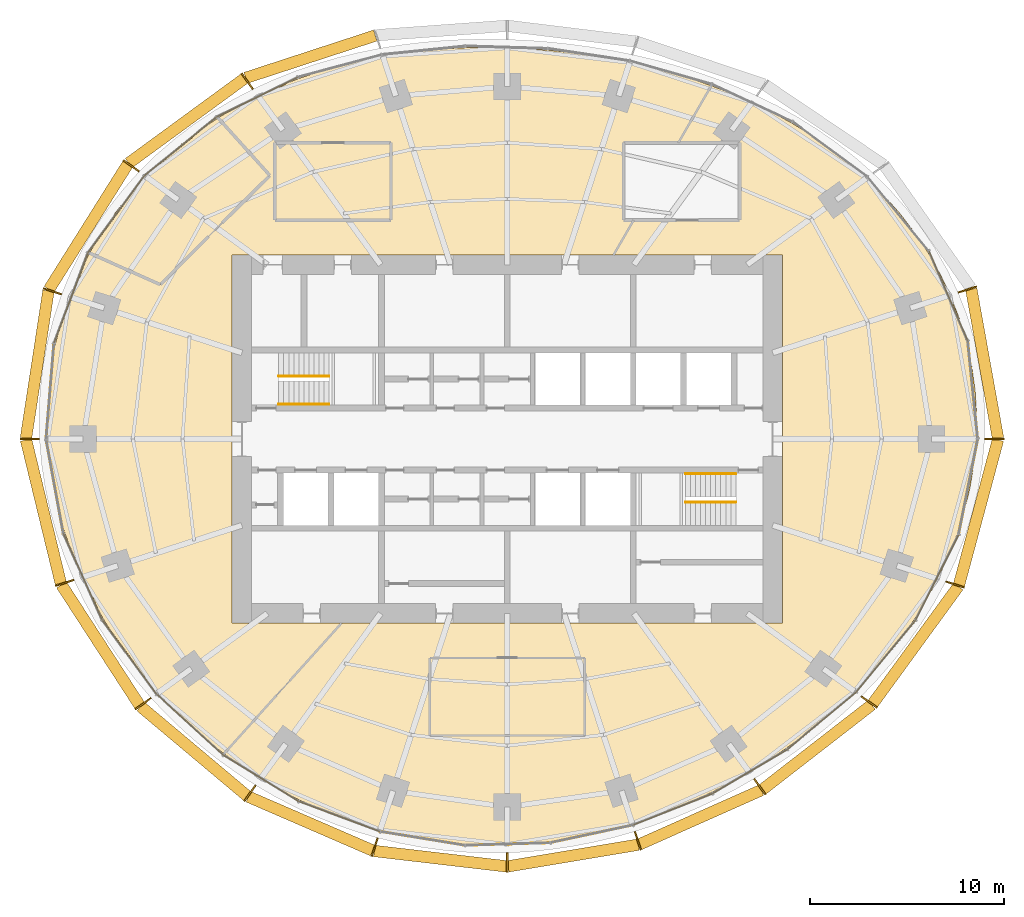
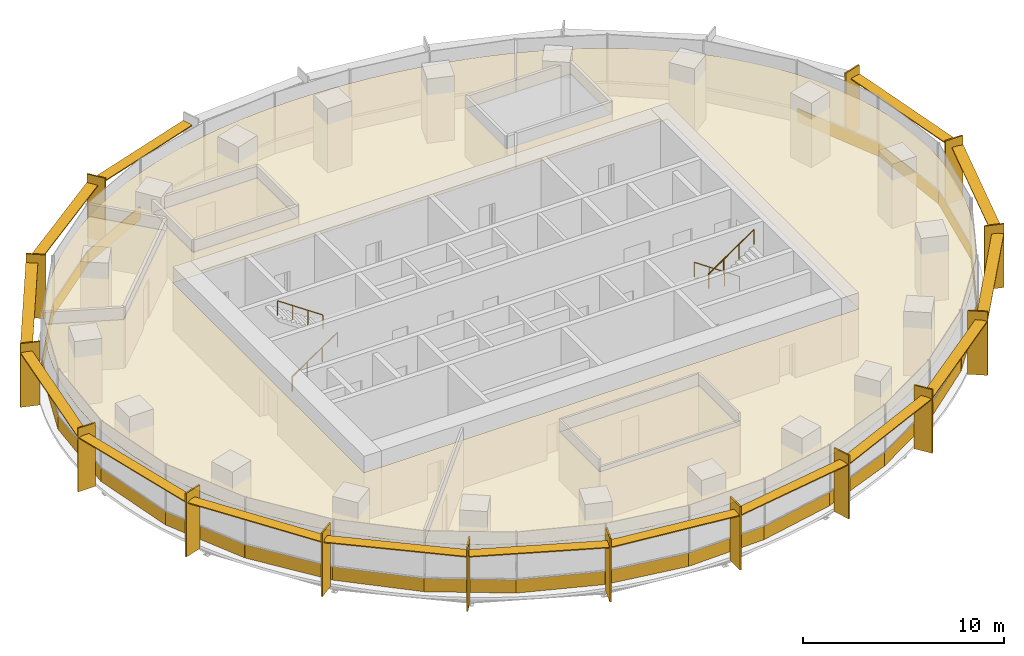
# One storey, part 13 of 14: 30 shading devices, 27 coverings, 4 railings.
"""IFC4 building model written with IfcOpenShell, lengths in metres."""

from ifc_helpers import new_model, si_unit, direction, frame, origin, origin_2d, place, context, subcontext, project, spatial, polyline, rectangle, circle, outline, extrude, material, layer, layer_set, type_object, element, save


model = new_model("IFC4")

# Units and contexts
model_context = context("Model", 3, precision=1e-05, world=origin(), true_north=direction((0.0, 1.0)))
body_context = subcontext(model_context, "Body", "Model", "MODEL_VIEW")
ifc_project = project(units=[si_unit("LENGTHUNIT", "METRE"), si_unit("AREAUNIT", "SQUARE_METRE"), si_unit("VOLUMEUNIT", "CUBIC_METRE"), si_unit("PLANEANGLEUNIT", "RADIAN"), si_unit("MASSUNIT", "GRAM", prefix="KILO")], contexts=[model_context])

# Site, building, storey
site_placement = place(None, origin())
site = spatial("IfcSite", under=ifc_project, at=site_placement, CompositionType="ELEMENT")
building_placement = place(site_placement, origin())
building = spatial("IfcBuilding", under=site, at=building_placement, Name="Marramba Exchange Tower", CompositionType="ELEMENT")
storey_placement = place(building_placement, frame((0.0, 0.0, 242.300048828125)))
storey = spatial("IfcBuildingStorey", under=building, at=storey_placement, Name="L59", CompositionType="ELEMENT", Elevation=242.300048828125)

# Shading devices
ifc_material_1 = material(Name="Aluminium blade, timber-look bronze finish", Category="wood")
ifc_layer_1 = layer(ifc_material_1, 0.080078125)
ifc_layer_set_1 = layer_set([ifc_layer_1], Name="Floor-edge blade 1000x80")
shading_device_type_1 = type_object("IfcShadingDeviceType", Name="Floor-edge blade 1000x80", PredefinedType="USERDEFINED", material=ifc_layer_set_1)
for number, where, z_axis, x_axis, name in (
    (1, (25.14404296875, 0.0, -0.16015625), (0.0, 0.0, 1.0), (1.0, 0.0, 0.0), "Floor-edge blade FB1 L59 TC01"),
    (2, (23.757080078125, 7.718994140625, -0.16015625), (0.0, 0.0, 1.0), (0.951056516295, 0.309016994375, 0.0), "Floor-edge blade FB1 L59 TC02"),
    (3, (-13.422607421875, 18.474609375, -0.16015625), (0.0, 0.0, 1.0), (-0.587785252292, 0.809016994375, 0.0), "Floor-edge blade FB1 L59 TC08"),
    (4, (-19.4140625, 14.105224609375, -0.16015625), (0.0, 0.0, 1.0), (-0.809016994375, 0.587785252292, 0.0), "Floor-edge blade FB1 L59 TC09"),
    (5, (-23.488525390625, 7.6318359375, -0.16015625), (0.0, 0.0, 1.0), (-0.951056516295, 0.309016994375, 0.0), "Floor-edge blade FB1 L59 TC10"),
    (6, (-24.656005859375, 0.0, -0.16015625), (0.0, 0.0, 1.0), (-1.0, 0.0, 0.0), "Floor-edge blade FB1 L59 TC11"),
    (7, (-22.848876953125, -7.424072265625, -0.16015625), (0.0, 0.0, 1.0), (-0.951056516295, -0.309016994375, 0.0), "Floor-edge blade FB1 L59 TC12"),
    (8, (-18.7998046875, -13.658935546875, -0.16015625), (0.0, 0.0, 1.0), (-0.809016994375, -0.587785252292, 0.0), "Floor-edge blade FB1 L59 TC13"),
    (9, (-13.2841796875, -18.2841796875, -0.16015625), (0.0, 0.0, 1.0), (-0.587785252292, -0.809016994375, 0.0), "Floor-edge blade FB1 L59 TC14"),
    (10, (-6.845703125, -21.069091796875, -0.16015625), (0.0, 0.0, 1.0), (-0.309016994375, -0.951056516295, 0.0), "Floor-edge blade FB1 L59 TC15"),
    (11, (0.0, -21.86376953125, -0.16015625), (0.0, 0.0, 1.0), (0.0, -1.0, 0.0), "Floor-edge blade FB1 L59 TC16"),
    (12, (6.739501953125, -20.741943359375, -0.16015625), (0.0, 0.0, 1.0), (0.309016994375, -0.951056516295, 0.0), "Floor-edge blade FB1 L59 TC17"),
    (13, (13.0380859375, -17.9453125, -0.16015625), (0.0, 0.0, 1.0), (0.587785252292, -0.809016994375, 0.0), "Floor-edge blade FB1 L59 TC18"),
    (14, (18.6845703125, -13.5751953125, -0.16015625), (0.0, 0.0, 1.0), (0.809016994375, -0.587785252292, 0.0), "Floor-edge blade FB1 L59 TC19"),
    (15, (23.1171875, -7.51123046875, -0.16015625), (0.0, 0.0, 1.0), (0.951056516295, -0.309016994375, 0.0), "Floor-edge blade FB1 L59 TC20"),
):
    element("IfcShadingDevice", number, at=place(storey_placement, frame(where, z_axis=z_axis, x_axis=x_axis)), inside=storey, type_object=shading_device_type_1, Name=name, ObjectType="FIN", PredefinedType="USERDEFINED", context=body_context, shape_type="SweptSolid", body=[
        extrude(rectangle(XDim=1.0, YDim=0.080078125, at=origin_2d()), origin(), (0.0, 0.0, 1.0), 3.860107421875),
    ])
ifc_material_2 = material(Name="Aluminium sunshade, bronze anodised", Category="aluminium")
ifc_layer_2 = layer(ifc_material_2, 0.06005859375)
ifc_layer_set_2 = layer_set([ifc_layer_2], Name="SUNSHADE blade 600x60")
shading_device_type_2 = type_object("IfcShadingDeviceType", Name="SUNSHADE blade 600x60", PredefinedType="USERDEFINED", material=ifc_layer_set_2)
shading_device_1_placement = place(storey_placement, frame((24.6455078125, 3.890380859375, 3.119873046875), z_axis=(0.0, 0.0, 1.0), x_axis=(-0.176690623809, 0.984266439262, 0.0)))
element("IfcShadingDevice", 16, at=shading_device_1_placement, inside=storey, type_object=shading_device_type_2, Name="Sunshade SS1 L59 bay 01", ObjectType="SUNSHADE", PredefinedType="USERDEFINED", context=body_context, shape_type="SweptSolid", body=[
    extrude(rectangle(XDim=7.8251953125, YDim=0.60009765625, at=origin_2d()), origin(), (0.0, 0.0, 1.0), 0.06005859375),
])
shading_device_2_placement = place(storey_placement, frame((-10.156982421875, 19.741943359375, 3.119873046875), z_axis=(0.0, 0.0, 1.0), x_axis=(-0.950537602937, -0.310609506297, 0.0)))
element("IfcShadingDevice", 17, at=shading_device_2_placement, inside=storey, type_object=shading_device_type_2, Name="Sunshade SS1 L59 bay 07", ObjectType="SUNSHADE", PredefinedType="USERDEFINED", context=body_context, shape_type="SweptSolid", body=[
    extrude(rectangle(XDim=7.03857421875, YDim=0.60009765625, at=origin_2d()), origin(), (0.0, 0.0, 1.0), 0.06005859375),
])
shading_device_3_placement = place(storey_placement, frame((-16.55810546875, 16.4296875, 3.119873046875), z_axis=(0.0, 0.0, 1.0), x_axis=(-0.80719390073, -0.59028637679, 0.0)))
element("IfcShadingDevice", 18, at=shading_device_3_placement, inside=storey, type_object=shading_device_type_2, Name="Sunshade SS1 L59 bay 08", ObjectType="SUNSHADE", PredefinedType="USERDEFINED", context=body_context, shape_type="SweptSolid", body=[
    extrude(rectangle(XDim=7.3974609375, YDim=0.60009765625, at=origin_2d()), origin(), (0.0, 0.0, 1.0), 0.06005859375),
])
shading_device_4_placement = place(storey_placement, frame((-21.62744140625, 10.958251953125, 3.119873046875), z_axis=(0.0, 0.0, 1.0), x_axis=(-0.532082259983, -0.846692664792, 0.0)))
element("IfcShadingDevice", 19, at=shading_device_4_placement, inside=storey, type_object=shading_device_type_2, Name="Sunshade SS1 L59 bay 09", ObjectType="SUNSHADE", PredefinedType="USERDEFINED", context=body_context, shape_type="SweptSolid", body=[
    extrude(rectangle(XDim=7.631103515625, YDim=0.60009765625, at=origin_2d()), origin(), (0.0, 0.0, 1.0), 0.06005859375),
])
shading_device_5_placement = place(storey_placement, frame((-24.267333984375, 3.846923828125, 3.119873046875), z_axis=(0.0, 0.0, 1.0), x_axis=(-0.151240669327, -0.988496970123, 0.0)))
element("IfcShadingDevice", 20, at=shading_device_5_placement, inside=storey, type_object=shading_device_type_2, Name="Sunshade SS1 L59 bay 10", ObjectType="SUNSHADE", PredefinedType="USERDEFINED", context=body_context, shape_type="SweptSolid", body=[
    extrude(rectangle(XDim=7.703369140625, YDim=0.60009765625, at=origin_2d()), origin(), (0.0, 0.0, 1.0), 0.06005859375),
])
shading_device_6_placement = place(storey_placement, frame((-23.947509765625, -3.742919921875, 3.119873046875), z_axis=(0.0, 0.0, 1.0), x_axis=(0.235861488454, -0.971786683519, 0.0)))
element("IfcShadingDevice", 21, at=shading_device_6_placement, inside=storey, type_object=shading_device_type_2, Name="Sunshade SS1 L59 bay 11", ObjectType="SUNSHADE", PredefinedType="USERDEFINED", context=body_context, shape_type="SweptSolid", body=[
    extrude(rectangle(XDim=7.623291015625, YDim=0.60009765625, at=origin_2d()), origin(), (0.0, 0.0, 1.0), 0.06005859375),
])
shading_device_7_placement = place(storey_placement, frame((-21.000244140625, -10.631103515625, 3.119873046875), z_axis=(0.0, 0.0, 1.0), x_axis=(0.543921771105, -0.839135928749, 0.0)))
element("IfcShadingDevice", 22, at=shading_device_7_placement, inside=storey, type_object=shading_device_type_2, Name="Sunshade SS1 L59 bay 12", ObjectType="SUNSHADE", PredefinedType="USERDEFINED", context=body_context, shape_type="SweptSolid", body=[
    extrude(rectangle(XDim=7.41650390625, YDim=0.60009765625, at=origin_2d()), origin(), (0.0, 0.0, 1.0), 0.06005859375),
])
shading_device_8_placement = place(storey_placement, frame((-16.181640625, -16.111083984375, 3.119873046875), z_axis=(0.0, 0.0, 1.0), x_axis=(0.765761970568, -0.643124097225, 0.0)))
element("IfcShadingDevice", 23, at=shading_device_8_placement, inside=storey, type_object=shading_device_type_2, Name="Sunshade SS1 L59 bay 13", ObjectType="SUNSHADE", PredefinedType="USERDEFINED", context=body_context, shape_type="SweptSolid", body=[
    extrude(rectangle(XDim=7.1806640625, YDim=0.60009765625, at=origin_2d()), origin(), (0.0, 0.0, 1.0), 0.06005859375),
])
shading_device_9_placement = place(storey_placement, frame((-10.154541015625, -19.8525390625, 3.119873046875), z_axis=(0.0, 0.0, 1.0), x_axis=(0.917589256742, -0.397529817639, 0.0)))
element("IfcShadingDevice", 24, at=shading_device_9_placement, inside=storey, type_object=shading_device_type_2, Name="Sunshade SS1 L59 bay 14", ObjectType="SUNSHADE", PredefinedType="USERDEFINED", context=body_context, shape_type="SweptSolid", body=[
    extrude(rectangle(XDim=6.997314453125, YDim=0.60009765625, at=origin_2d()), origin(), (0.0, 0.0, 1.0), 0.06005859375),
])
shading_device_10_placement = place(storey_placement, frame((-3.453857421875, -21.66162109375, 3.119873046875), z_axis=(0.0, 0.0, 1.0), x_axis=(0.993288257497, -0.1156651958, 0.0)))
element("IfcShadingDevice", 25, at=shading_device_10_placement, inside=storey, type_object=shading_device_type_2, Name="Sunshade SS1 L59 bay 15", ObjectType="SUNSHADE", PredefinedType="USERDEFINED", context=body_context, shape_type="SweptSolid", body=[
    extrude(rectangle(XDim=6.874267578125, YDim=0.60009765625, at=origin_2d()), origin(), (0.0, 0.0, 1.0), 0.06005859375),
])
shading_device_11_placement = place(storey_placement, frame((3.400634765625, -21.498046875, 3.119873046875), z_axis=(0.0, 0.0, 1.0), x_axis=(0.986439622954, 0.164124557168, 0.0)))
element("IfcShadingDevice", 26, at=shading_device_11_placement, inside=storey, type_object=shading_device_type_2, Name="Sunshade SS1 L59 bay 16", ObjectType="SUNSHADE", PredefinedType="USERDEFINED", context=body_context, shape_type="SweptSolid", body=[
    extrude(rectangle(XDim=6.814697265625, YDim=0.60009765625, at=origin_2d()), origin(), (0.0, 0.0, 1.0), 0.06005859375),
])
shading_device_12_placement = place(storey_placement, frame((9.978515625, -19.519775390625, 3.119873046875), z_axis=(0.0, 0.0, 1.0), x_axis=(0.913771678576, 0.406228161792, 0.0)))
element("IfcShadingDevice", 27, at=shading_device_12_placement, inside=storey, type_object=shading_device_type_2, Name="Sunshade SS1 L59 bay 17", ObjectType="SUNSHADE", PredefinedType="USERDEFINED", context=body_context, shape_type="SweptSolid", body=[
    extrude(rectangle(XDim=6.8740234375, YDim=0.60009765625, at=origin_2d()), origin(), (0.0, 0.0, 1.0), 0.06005859375),
])
shading_device_13_placement = place(storey_placement, frame((16.0009765625, -15.89990234375, 3.119873046875), z_axis=(0.0, 0.0, 1.0), x_axis=(0.790133082515, 0.612935324414, 0.0)))
element("IfcShadingDevice", 28, at=shading_device_13_placement, inside=storey, type_object=shading_device_type_2, Name="Sunshade SS1 L59 bay 18", ObjectType="SUNSHADE", PredefinedType="USERDEFINED", context=body_context, shape_type="SweptSolid", body=[
    extrude(rectangle(XDim=7.122314453125, YDim=0.60009765625, at=origin_2d()), origin(), (0.0, 0.0, 1.0), 0.06005859375),
])
shading_device_14_placement = place(storey_placement, frame((21.076904296875, -10.6328125, 3.119873046875), z_axis=(0.0, 0.0, 1.0), x_axis=(0.589071758439, 0.808080728275, 0.0)))
element("IfcShadingDevice", 29, at=shading_device_14_placement, inside=storey, type_object=shading_device_type_2, Name="Sunshade SS1 L59 bay 19", ObjectType="SUNSHADE", PredefinedType="USERDEFINED", context=body_context, shape_type="SweptSolid", body=[
    extrude(rectangle(XDim=7.4931640625, YDim=0.60009765625, at=origin_2d()), origin(), (0.0, 0.0, 1.0), 0.06005859375),
])
shading_device_15_placement = place(storey_placement, frame((24.32568359375, -3.78662109375, 3.119873046875), z_axis=(0.0, 0.0, 1.0), x_axis=(0.259692365654, 0.965691397508, 0.0)))
element("IfcShadingDevice", 30, at=shading_device_15_placement, inside=storey, type_object=shading_device_type_2, Name="Sunshade SS1 L59 bay 20", ObjectType="SUNSHADE", PredefinedType="USERDEFINED", context=body_context, shape_type="SweptSolid", body=[
    extrude(rectangle(XDim=7.76220703125, YDim=0.60009765625, at=origin_2d()), origin(), (0.0, 0.0, 1.0), 0.06005859375),
])

# Coverings
ifc_material_3 = material(Name="Aluminium spandrel panel, bronze anodised, insulated", Category="aluminium")
ifc_layer_3 = layer(ifc_material_3, 0.050048828125)
ifc_layer_set_3 = layer_set([ifc_layer_3], Name="Spandrel panel 800")
covering_type_1 = type_object("IfcCoveringType", Name="Spandrel panel 800", PredefinedType="CLADDING", material=ifc_layer_set_3)
covering_1_placement = place(storey_placement, frame((24.036376953125, 2.527099609375, 0.0), z_axis=(0.0, 0.0, 1.0), x_axis=(-0.101422478545, 0.994843445395, 0.0)))
element("IfcCovering", 31, at=covering_1_placement, inside=storey, type_object=covering_type_1, Name="Spandrel panel SP1 L59 F01", PredefinedType="CLADDING", context=body_context, shape_type="SweptSolid", body=[
    extrude(rectangle(XDim=5.08056640625, YDim=0.050048828125, at=origin_2d()), origin(), (0.0, 0.0, 1.0), 0.800048828125),
])
covering_2_placement = place(storey_placement, frame((22.77734375, 7.374755859375, 0.0), z_axis=(0.0, 0.0, 1.0), x_axis=(-0.396193349205, 0.918167103552, 0.0)))
element("IfcCovering", 32, at=covering_2_placement, inside=storey, type_object=covering_type_1, Name="Spandrel panel SP1 L59 F02", PredefinedType="CLADDING", context=body_context, shape_type="SweptSolid", body=[
    extrude(rectangle(XDim=5.0546875, YDim=0.050048828125, at=origin_2d()), origin(), (0.0, 0.0, 1.0), 0.800048828125),
])
covering_3_placement = place(storey_placement, frame((-12.88818359375, 17.666748046875, 0.0), z_axis=(0.0, 0.0, 1.0), x_axis=(-0.898500520314, -0.438972453572, 0.0)))
element("IfcCovering", 33, at=covering_3_placement, inside=storey, type_object=covering_type_1, Name="Spandrel panel SP1 L59 F11", PredefinedType="CLADDING", context=body_context, shape_type="SweptSolid", body=[
    extrude(rectangle(XDim=4.667236328125, YDim=0.050048828125, at=origin_2d()), origin(), (0.0, 0.0, 1.0), 0.800048828125),
])
covering_4_placement = place(storey_placement, frame((-16.855712890625, 15.1240234375, 0.0), z_axis=(0.0, 0.0, 1.0), x_axis=(-0.776432169123, -0.630200830491, 0.0)))
element("IfcCovering", 34, at=covering_4_placement, inside=storey, type_object=covering_type_1, Name="Spandrel panel SP1 L59 F12", PredefinedType="CLADDING", context=body_context, shape_type="SweptSolid", body=[
    extrude(rectangle(XDim=4.81884765625, YDim=0.050048828125, at=origin_2d()), origin(), (0.0, 0.0, 1.0), 0.800048828125),
])
covering_5_placement = place(storey_placement, frame((-20.184326171875, 11.62060546875, 0.0), z_axis=(0.0, 0.0, 1.0), x_axis=(-0.591962919465, -0.805965198987, 0.0)))
element("IfcCovering", 35, at=covering_5_placement, inside=storey, type_object=covering_type_1, Name="Spandrel panel SP1 L59 F13", PredefinedType="CLADDING", context=body_context, shape_type="SweptSolid", body=[
    extrude(rectangle(XDim=4.925537109375, YDim=0.050048828125, at=origin_2d()), origin(), (0.0, 0.0, 1.0), 0.800048828125),
])
covering_6_placement = place(storey_placement, frame((-22.518798828125, 7.30419921875, 0.0), z_axis=(0.0, 0.0, 1.0), x_axis=(-0.351951514464, -0.936018232443, 0.0)))
element("IfcCovering", 36, at=covering_6_placement, inside=storey, type_object=covering_type_1, Name="Spandrel panel SP1 L59 F14", PredefinedType="CLADDING", context=body_context, shape_type="SweptSolid", body=[
    extrude(rectangle(XDim=4.981689453125, YDim=0.050048828125, at=origin_2d()), origin(), (0.0, 0.0, 1.0), 0.800048828125),
])
covering_7_placement = place(storey_placement, frame((-23.600830078125, 2.486328125, 0.0), z_axis=(0.0, 0.0, 1.0), x_axis=(-0.082280881776, -0.996609179415, 0.0)))
element("IfcCovering", 37, at=covering_7_placement, inside=storey, type_object=covering_type_1, Name="Spandrel panel SP1 L59 F15", PredefinedType="CLADDING", context=body_context, shape_type="SweptSolid", body=[
    extrude(rectangle(XDim=4.98974609375, YDim=0.050048828125, at=origin_2d()), origin(), (0.0, 0.0, 1.0), 0.800048828125),
])
covering_8_placement = place(storey_placement, frame((-23.359619140625, -2.43505859375, 0.0), z_axis=(0.0, 0.0, 1.0), x_axis=(0.180327442841, -0.983606635479, 0.0)))
element("IfcCovering", 38, at=covering_8_placement, inside=storey, type_object=covering_type_1, Name="Spandrel panel SP1 L59 F16", PredefinedType="CLADDING", context=body_context, shape_type="SweptSolid", body=[
    extrude(rectangle(XDim=4.951416015625, YDim=0.050048828125, at=origin_2d()), origin(), (0.0, 0.0, 1.0), 0.800048828125),
])
covering_9_placement = place(storey_placement, frame((-21.920654296875, -7.093994140625, 0.0), z_axis=(0.0, 0.0, 1.0), x_axis=(0.407557582153, -0.913179509861, 0.0)))
element("IfcCovering", 39, at=covering_9_placement, inside=storey, type_object=covering_type_1, Name="Spandrel panel SP1 L59 F17", PredefinedType="CLADDING", context=body_context, shape_type="SweptSolid", body=[
    extrude(rectangle(XDim=4.870361328125, YDim=0.050048828125, at=origin_2d()), origin(), (0.0, 0.0, 1.0), 0.800048828125),
])
covering_10_placement = place(storey_placement, frame((-19.520263671875, -11.238525390625, 0.0), z_axis=(0.0, 0.0, 1.0), x_axis=(0.591223097085, -0.80650805915, 0.0)))
element("IfcCovering", 40, at=covering_10_placement, inside=storey, type_object=covering_type_1, Name="Spandrel panel SP1 L59 F18", PredefinedType="CLADDING", context=body_context, shape_type="SweptSolid", body=[
    extrude(rectangle(XDim=4.762939453125, YDim=0.050048828125, at=origin_2d()), origin(), (0.0, 0.0, 1.0), 0.800048828125),
])
covering_11_placement = place(storey_placement, frame((-16.396240234375, -14.73193359375, 0.0), z_axis=(0.0, 0.0, 1.0), x_axis=(0.737203259599, -0.67567103981, 0.0)))
element("IfcCovering", 41, at=covering_11_placement, inside=storey, type_object=covering_type_1, Name="Spandrel panel SP1 L59 F19", PredefinedType="CLADDING", context=body_context, shape_type="SweptSolid", body=[
    extrude(rectangle(XDim=4.65478515625, YDim=0.050048828125, at=origin_2d()), origin(), (0.0, 0.0, 1.0), 0.800048828125),
])
covering_12_placement = place(storey_placement, frame((-12.73583984375, -17.497802734375, 0.0), z_axis=(0.0, 0.0, 1.0), x_axis=(0.852301010692, -0.52305161043, 0.0)))
element("IfcCovering", 42, at=covering_12_placement, inside=storey, type_object=covering_type_1, Name="Spandrel panel SP1 L59 F20", PredefinedType="CLADDING", context=body_context, shape_type="SweptSolid", body=[
    extrude(rectangle(XDim=4.563232421875, YDim=0.050048828125, at=origin_2d()), origin(), (0.0, 0.0, 1.0), 0.800048828125),
])
covering_13_placement = place(storey_placement, frame((-8.687255859375, -19.47607421875, 0.0), z_axis=(0.0, 0.0, 1.0), x_axis=(0.936951581946, -0.349459200892, 0.0)))
element("IfcCovering", 43, at=covering_13_placement, inside=storey, type_object=covering_type_1, Name="Spandrel panel SP1 L59 F21", PredefinedType="CLADDING", context=body_context, shape_type="SweptSolid", body=[
    extrude(rectangle(XDim=4.491455078125, YDim=0.050048828125, at=origin_2d()), origin(), (0.0, 0.0, 1.0), 0.800048828125),
])
covering_14_placement = place(storey_placement, frame((-4.393798828125, -20.6181640625, 0.0), z_axis=(0.0, 0.0, 1.0), x_axis=(0.98693062179, -0.161145734582, 0.0)))
element("IfcCovering", 44, at=covering_14_placement, inside=storey, type_object=covering_type_1, Name="Spandrel panel SP1 L59 F22", PredefinedType="CLADDING", context=body_context, shape_type="SweptSolid", body=[
    extrude(rectangle(XDim=4.4365234375, YDim=0.050048828125, at=origin_2d()), origin(), (0.0, 0.0, 1.0), 0.800048828125),
])
covering_15_placement = place(storey_placement, frame((-0.0068359375, -20.9111328125, 0.0), z_axis=(0.0, 0.0, 1.0), x_axis=(0.99956791932, 0.02939344597, 0.0)))
element("IfcCovering", 45, at=covering_15_placement, inside=storey, type_object=covering_type_1, Name="Spandrel panel SP1 L59 F23", PredefinedType="CLADDING", context=body_context, shape_type="SweptSolid", body=[
    extrude(rectangle(XDim=4.3974609375, YDim=0.050048828125, at=origin_2d()), origin(), (0.0, 0.0, 1.0), 0.800048828125),
])
covering_16_placement = place(storey_placement, frame((4.333984375, -20.389892578125, 0.0), z_axis=(0.0, 0.0, 1.0), x_axis=(0.978058068956, 0.208332459664, 0.0)))
element("IfcCovering", 46, at=covering_16_placement, inside=storey, type_object=covering_type_1, Name="Spandrel panel SP1 L59 F24", PredefinedType="CLADDING", context=body_context, shape_type="SweptSolid", body=[
    extrude(rectangle(XDim=4.3818359375, YDim=0.050048828125, at=origin_2d()), origin(), (0.0, 0.0, 1.0), 0.800048828125),
])
covering_17_placement = place(storey_placement, frame((8.525390625, -19.124267578125, 0.0), z_axis=(0.0, 0.0, 1.0), x_axis=(0.93007301151, 0.367374731386, 0.0)))
element("IfcCovering", 47, at=covering_17_placement, inside=storey, type_object=covering_type_1, Name="Spandrel panel SP1 L59 F25", PredefinedType="CLADDING", context=body_context, shape_type="SweptSolid", body=[
    extrude(rectangle(XDim=4.405517578125, YDim=0.050048828125, at=origin_2d()), origin(), (0.0, 0.0, 1.0), 0.800048828125),
])
covering_18_placement = place(storey_placement, frame((12.50634765625, -17.175537109375, 0.0), z_axis=(0.0, 0.0, 1.0), x_axis=(0.861350829898, 0.508010578466, 0.0)))
element("IfcCovering", 48, at=covering_18_placement, inside=storey, type_object=covering_type_1, Name="Spandrel panel SP1 L59 F26", PredefinedType="CLADDING", context=body_context, shape_type="SweptSolid", body=[
    extrude(rectangle(XDim=4.486572265625, YDim=0.050048828125, at=origin_2d()), origin(), (0.0, 0.0, 1.0), 0.800048828125),
])
covering_19_placement = place(storey_placement, frame((16.2177734375, -14.5556640625, 0.0), z_axis=(0.0, 0.0, 1.0), x_axis=(0.768736803132, 0.639565264465, 0.0)))
element("IfcCovering", 49, at=covering_19_placement, inside=storey, type_object=covering_type_1, Name="Spandrel panel SP1 L59 F27", PredefinedType="CLADDING", context=body_context, shape_type="SweptSolid", body=[
    extrude(rectangle(XDim=4.628662109375, YDim=0.050048828125, at=origin_2d()), origin(), (0.0, 0.0, 1.0), 0.800048828125),
])
covering_20_placement = place(storey_placement, frame((19.529541015625, -11.2265625, 0.0), z_axis=(0.0, 0.0, 1.0), x_axis=(0.638149992226, 0.769912064733, 0.0)))
element("IfcCovering", 50, at=covering_20_placement, inside=storey, type_object=covering_type_1, Name="Spandrel panel SP1 L59 F28", PredefinedType="CLADDING", context=body_context, shape_type="SweptSolid", body=[
    extrude(rectangle(XDim=4.80322265625, YDim=0.050048828125, at=origin_2d()), origin(), (0.0, 0.0, 1.0), 0.800048828125),
])
covering_21_placement = place(storey_placement, frame((22.17919921875, -7.16455078125, 0.0), z_axis=(0.0, 0.0, 1.0), x_axis=(0.450673091404, 0.892689063832, 0.0)))
element("IfcCovering", 51, at=covering_21_placement, inside=storey, type_object=covering_type_1, Name="Spandrel panel SP1 L59 F29", PredefinedType="CLADDING", context=body_context, shape_type="SweptSolid", body=[
    extrude(rectangle(XDim=4.957763671875, YDim=0.050048828125, at=origin_2d()), origin(), (0.0, 0.0, 1.0), 0.800048828125),
])
covering_22_placement = place(storey_placement, frame((23.795166015625, -2.475830078125, 0.0), z_axis=(0.0, 0.0, 1.0), x_axis=(0.197495401381, 0.980303813332, 0.0)))
element("IfcCovering", 52, at=covering_22_placement, inside=storey, type_object=covering_type_1, Name="Spandrel panel SP1 L59 F30", PredefinedType="CLADDING", context=body_context, shape_type="SweptSolid", body=[
    extrude(rectangle(XDim=5.05126953125, YDim=0.050048828125, at=origin_2d()), origin(), (0.0, 0.0, 1.0), 0.800048828125),
])

# Railings
ifc_material_4 = material(Name="Stainless steel handrail", Category="steel")
railing_type = type_object("IfcRailingType", Name="Stair handrail 900", PredefinedType="HANDRAIL", material=ifc_material_4)
railing_1_placement = place(storey_placement, frame((-11.800048828125, 1.800048828125, 0.17724609375)))
element("IfcRailing", 53, at=railing_1_placement, inside=storey, type_object=railing_type, Name="Handrail HR1 ST1 L59 flight 1", PredefinedType="HANDRAIL", context=body_context, shape_type="SweptSolid", body=[
    extrude(circle(Radius=0.02392578125, at=origin_2d()), frame((0.0, 0.0, 0.8759765625), z_axis=(0.826240473404, 0.0, 0.563317565952), x_axis=(0.0, 1.0, 0.0)), (0.0, 0.0, 1.0), 3.14697265625),
    extrude(circle(Radius=0.02099609375, at=origin_2d()), origin(), (0.0, 0.0, 1.0), 0.851806640625),
    extrude(circle(Radius=0.02099609375, at=origin_2d()), frame((0.86669921875, 0.0, 0.5908203125)), (0.0, 0.0, 1.0), 0.851806640625),
    extrude(circle(Radius=0.02099609375, at=origin_2d()), frame((1.7333984375, 0.0, 1.181884765625)), (0.0, 0.0, 1.0), 0.851806640625),
    extrude(circle(Radius=0.02099609375, at=origin_2d()), frame((2.60009765625, 0.0, 1.772705078125)), (0.0, 0.0, 1.0), 0.851806640625),
])
for number, where, name in (
    (54, (-9.199951171875, 3.25, 2.127197265625), "Handrail HR1 ST1 L59 flight 2"),
    (55, (11.800048828125, -1.800048828125, 0.17724609375), "Handrail HR1 ST2 L59 flight 1"),
):
    element("IfcRailing", number, at=place(storey_placement, frame(where)), inside=storey, type_object=railing_type, Name=name, PredefinedType="HANDRAIL", context=body_context, shape_type="SweptSolid", body=[
        extrude(circle(Radius=0.02392578125, at=origin_2d()), frame((0.0, 0.0, 0.8759765625), z_axis=(-0.826240473404, 0.0, 0.563317565952), x_axis=(0.0, -1.0, 0.0)), (0.0, 0.0, 1.0), 3.14697265625),
        extrude(circle(Radius=0.02099609375, at=origin_2d()), origin(), (0.0, 0.0, 1.0), 0.851806640625),
        extrude(circle(Radius=0.02099609375, at=origin_2d()), frame((-0.86669921875, 0.0, 0.5908203125)), (0.0, 0.0, 1.0), 0.851806640625),
        extrude(circle(Radius=0.02099609375, at=origin_2d()), frame((-1.7333984375, 0.0, 1.181884765625)), (0.0, 0.0, 1.0), 0.851806640625),
        extrude(circle(Radius=0.02099609375, at=origin_2d()), frame((-2.60009765625, 0.0, 1.772705078125)), (0.0, 0.0, 1.0), 0.851806640625),
    ])
railing_2_placement = place(storey_placement, frame((9.199951171875, -3.25, 2.127197265625)))
element("IfcRailing", 56, at=railing_2_placement, inside=storey, type_object=railing_type, Name="Handrail HR1 ST2 L59 flight 2", PredefinedType="HANDRAIL", context=body_context, shape_type="SweptSolid", body=[
    extrude(circle(Radius=0.02392578125, at=origin_2d()), frame((0.0, 0.0, 0.8759765625), z_axis=(0.826240473404, 0.0, 0.563317565952), x_axis=(0.0, 1.0, 0.0)), (0.0, 0.0, 1.0), 3.14697265625),
    extrude(circle(Radius=0.02099609375, at=origin_2d()), origin(), (0.0, 0.0, 1.0), 0.851806640625),
    extrude(circle(Radius=0.02099609375, at=origin_2d()), frame((0.86669921875, 0.0, 0.5908203125)), (0.0, 0.0, 1.0), 0.851806640625),
    extrude(circle(Radius=0.02099609375, at=origin_2d()), frame((1.7333984375, 0.0, 1.181884765625)), (0.0, 0.0, 1.0), 0.851806640625),
    extrude(circle(Radius=0.02099609375, at=origin_2d()), frame((2.60009765625, 0.0, 1.772705078125)), (0.0, 0.0, 1.0), 0.851806640625),
])

# Coverings
ifc_material_5 = material(Name="Mineral fibre ceiling tiles", Category="gypsum")
ifc_layer_4 = layer(ifc_material_5, 0.02001953125)
ifc_layer_set_4 = layer_set([ifc_layer_4], Name="Suspended ceiling 20")
covering_type_2 = type_object("IfcCoveringType", Name="Suspended ceiling 20", PredefinedType="CEILING", material=ifc_layer_set_4)
covering_23_placement = place(storey_placement, frame((0.0, 0.0, 2.89990234375)))
element("IfcCovering", 57, at=covering_23_placement, inside=storey, type_object=covering_type_2, Name="Ceiling CL1 L59 Members' Lounge", PredefinedType="CEILING", context=body_context, shape_type="SweptSolid", body=[
    extrude(outline(polyline([(14.199951171875, 9.5), (5.48486328125, 9.5), (6.52392578125, 11.300048828125), (12.0, 11.300048828125), (12.0, 15.300048828125), (8.83349609375, 15.300048828125), (10.5341796875, 18.245849609375), (11.584716796875, 17.839111328125), (12.6298828125, 17.383544921875), (13.666259765625, 16.87646484375), (14.689453125, 16.314453125), (15.695068359375, 15.695068359375), (16.67724609375, 15.016357421875), (17.6298828125, 14.276611328125), (18.54638671875, 13.474853515625), (19.41943359375, 12.611083984375), (20.24169921875, 11.6865234375), (21.00537109375, 10.70263671875), (21.702880859375, 9.662841796875), (22.32763671875, 8.57080078125), (22.87255859375, 7.431640625), (23.331787109375, 6.251708984375), (23.700439453125, 5.03759765625), (23.974853515625, 3.797119140625), (24.15234375, 2.53857421875), (24.23193359375, 1.27001953125), (24.214111328125, 0.0), (24.10009765625, -1.262939453125), (23.89306640625, -2.51123046875), (23.597412109375, -3.737548828125), (23.218017578125, -4.935302734375), (22.760986328125, -6.098876953125), (22.23291015625, -7.223876953125), (21.639892578125, -8.306884765625), (20.989013671875, -9.344970703125), (20.286865234375, -10.336669921875), (19.539794921875, -11.28125), (18.753173828125, -12.178466796875), (17.93212890625, -13.028564453125), (17.08154296875, -13.832275390625), (16.204833984375, -14.5908203125), (15.30517578125, -15.30517578125), (14.38525390625, -15.976318359375), (13.44677734375, -16.60546875), (12.491455078125, -17.193115234375), (11.520263671875, -17.73974609375), (10.5341796875, -18.245849609375), (9.53369140625, -18.711181640625), (8.51953125, -19.13525390625), (7.4921875, -19.517578125), (6.4521484375, -19.857421875), (5.400146484375, -20.153564453125), (4.337158203125, -20.404541015625), (3.26416015625, -20.609619140625), (2.1826171875, -20.766845703125), (1.093994140625, -20.875244140625), (0.0, -20.93359375), (-1.097412109375, -20.94091796875), (-2.1962890625, -20.89599609375), (-3.294189453125, -20.79833984375), (-4.388916015625, -20.6474609375), (-5.477783203125, -20.44287109375), (-6.558349609375, -20.184814453125), (-7.62841796875, -19.873046875), (-8.685546875, -19.50830078125), (-9.727294921875, -19.091064453125), (-10.75146484375, -18.621826171875), (-11.755615234375, -18.101806640625), (-12.737548828125, -17.53173828125), (-13.6953125, -16.912353515625), (-14.626953125, -16.2451171875), (-8.5537109375, -9.5), (14.199951171875, -9.5), (14.199951171875, 9.5)]), holes=[polyline([(4.0, -15.300048828125), (4.0, -11.300048828125), (-4.0, -11.300048828125), (-4.0, -15.300048828125), (4.0, -15.300048828125)])]), origin(), (0.0, 0.0, 1.0), 0.02001953125),
])
covering_24_placement = place(storey_placement, frame((0.0, 0.0, 2.89990234375)))
element("IfcCovering", 58, at=covering_24_placement, inside=storey, type_object=covering_type_2, Name="Ceiling CL1 L59 Members' Business Lounge", PredefinedType="CEILING", context=body_context, shape_type="SweptSolid", body=[
    extrude(outline(polyline([(-16.403076171875, -14.769287109375), (-17.242919921875, -13.962890625), (-18.04736328125, -13.1123046875), (-18.81396484375, -12.218017578125), (-19.539794921875, -11.28125), (-20.22119140625, -10.30322265625), (-20.85498046875, -9.285400390625), (-21.4375, -8.22900390625), (-21.96435546875, -7.13671875), (-22.431640625, -6.010498046875), (-22.8349609375, -4.853759765625), (-23.169921875, -3.669677734375), (-23.432373046875, -2.462890625), (-23.618896484375, -1.23779296875), (-23.72607421875, 0.0), (-23.7509765625, 1.24462890625), (-23.691650390625, 2.489990234375), (-23.547119140625, 3.7294921875), (-23.317138671875, 4.956298828125), (-23.002197265625, 6.163330078125), (-22.604248046875, 7.344482421875), (-22.125244140625, 8.4931640625), (-21.569091796875, 9.603271484375), (-17.914794921875, 7.976318359375), (-12.2548828125, 13.6103515625), (-14.931396484375, 16.5830078125), (-13.914794921875, 17.183349609375), (-12.8759765625, 17.722412109375), (-11.820068359375, 18.201171875), (-10.75146484375, 18.621826171875), (-9.67431640625, 18.98681640625), (-8.59228515625, 19.29833984375), (-7.50830078125, 19.559326171875), (-6.424560546875, 19.77294921875), (-5.34326171875, 19.941650390625), (-4.265625, 20.068603515625), (-3.1923828125, 20.15625), (-2.123779296875, 20.20703125), (-1.059814453125, 20.22314453125), (0.0, 20.206298828125), (1.056396484375, 20.15771484375), (2.1103515625, 20.077880859375), (3.16259765625, 19.96728515625), (4.214111328125, 19.82568359375), (5.265869140625, 19.65234375), (6.318359375, 19.445556640625), (7.371826171875, 19.2041015625), (8.426025390625, 18.92529296875), (9.480712890625, 18.60693359375), (10.5341796875, 18.245849609375), (8.83349609375, 15.300048828125), (6.0, 15.300048828125), (6.0, 11.300048828125), (6.52392578125, 11.300048828125), (5.48486328125, 9.5), (-14.199951171875, 9.5), (-14.199951171875, -9.5), (-8.5537109375, -9.5), (-14.626953125, -16.2451171875), (-15.5302734375, -15.5302734375), (-16.403076171875, -14.769287109375)]), holes=[polyline([(-12.0, 11.300048828125), (-6.0, 11.300048828125), (-6.0, 15.300048828125), (-12.0, 15.300048828125), (-12.0, 11.300048828125)])]), origin(), (0.0, 0.0, 1.0), 0.02001953125),
])
covering_25_placement = place(storey_placement, frame((0.0, 0.0, 2.89990234375)))
element("IfcCovering", 59, at=covering_25_placement, inside=storey, type_object=covering_type_2, Name="Ceiling CL1 L59 Interview Room", PredefinedType="CEILING", context=body_context, shape_type="SweptSolid", body=[
    extrude(outline(polyline([(-20.939697265625, 10.669189453125), (-20.52880859375, 11.267822265625), (-20.24169921875, 11.6865234375), (-19.48046875, 12.650634765625), (-18.66162109375, 13.55859375), (-18.595947265625, 13.62255859375), (-17.79150390625, 14.4072265625), (-16.87548828125, 15.19482421875), (-15.920166015625, 15.920166015625), (-15.093994140625, 16.473876953125), (-14.931396484375, 16.5830078125), (-14.931396484375, 16.5830078125), (-12.2548828125, 13.6103515625), (-17.914794921875, 7.976318359375), (-21.569091796875, 9.603271484375), (-20.939697265625, 10.669189453125)])), origin(), (0.0, 0.0, 1.0), 0.02001953125),
])
covering_26_placement = place(storey_placement, frame((0.0, 0.0, 2.89990234375)))
element("IfcCovering", 60, at=covering_26_placement, inside=storey, type_object=covering_type_2, Name="Ceiling CL1 L59 Meeting Room 1", PredefinedType="CEILING", context=body_context, shape_type="SweptSolid", body=[
    extrude(outline(polyline([(-6.0, 11.300048828125), (-12.0, 11.300048828125), (-12.0, 15.300048828125), (-6.0, 15.300048828125), (-6.0, 11.300048828125)])), origin(), (0.0, 0.0, 1.0), 0.02001953125),
])
covering_27_placement = place(storey_placement, frame((0.0, 0.0, 2.89990234375)))
element("IfcCovering", 61, at=covering_27_placement, inside=storey, type_object=covering_type_2, Name="Ceiling CL1 L59 Pantry", PredefinedType="CEILING", context=body_context, shape_type="SweptSolid", body=[
    extrude(outline(polyline([(4.0, -15.300048828125), (-4.0, -15.300048828125), (-4.0, -11.300048828125), (4.0, -11.300048828125), (4.0, -15.300048828125)])), origin(), (0.0, 0.0, 1.0), 0.02001953125),
])

save(model, "model.ifc")
